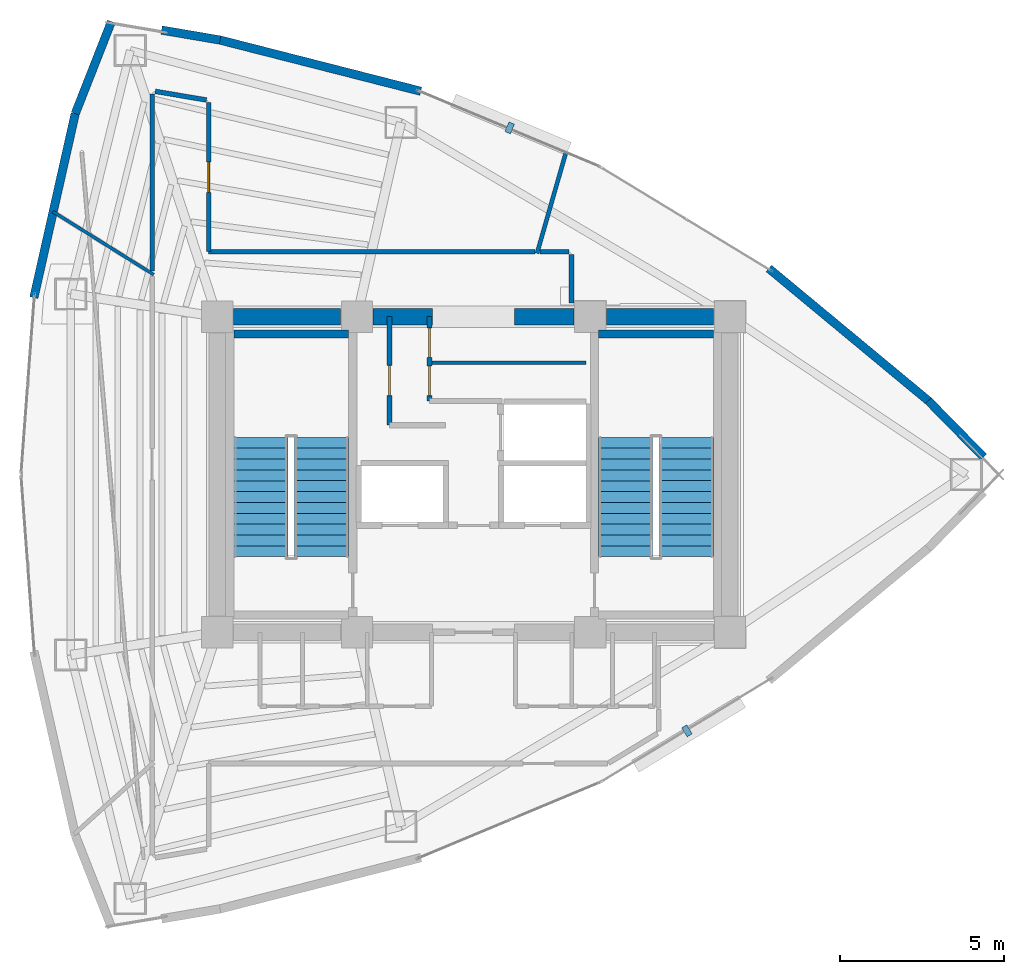
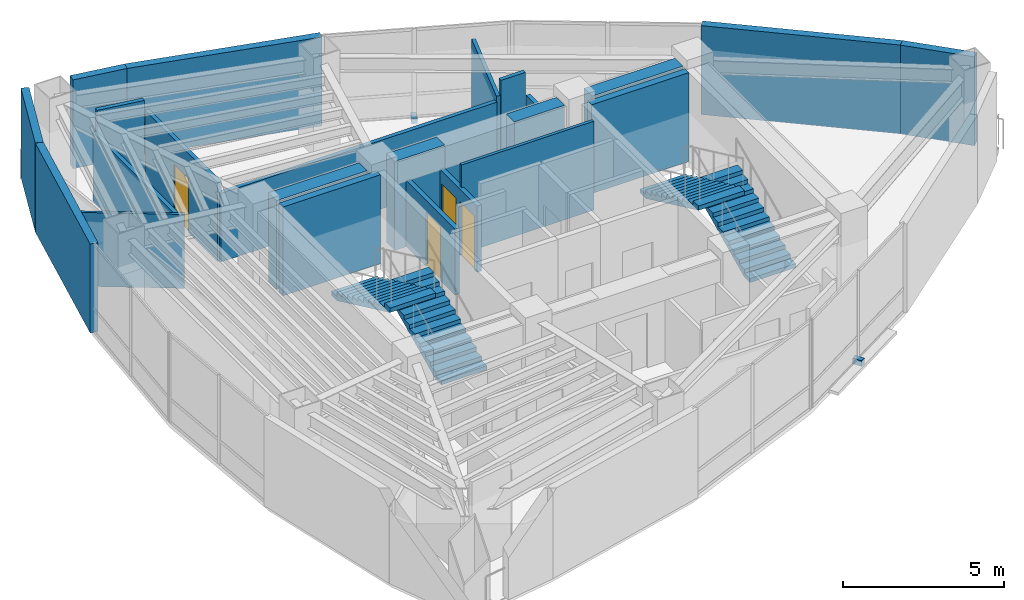
# One storey, part 13 of 16: 23 walls, 4 doors, 4 stair flights, 2 discrete accessories, 4 openings, 2 elements without a shape of their own.
"""IFC4 building model written with IfcOpenShell, lengths in metres."""

from ifc_helpers import new_model, si_unit, direction, frame, frame_2d, origin, origin_2d, place, context, subcontext, project, spatial, polyline, rectangle, outline, extrude, material, layer, layer_set, type_object, element, fill, aggregate, save


model = new_model("IFC4")

# Units and contexts
model_context = context("Model", 3, precision=1e-05, world=origin(), true_north=direction((0.0, 1.0)))
body_context = subcontext(model_context, "Body", "Model", "MODEL_VIEW")
ifc_project = project(units=[si_unit("LENGTHUNIT", "METRE"), si_unit("AREAUNIT", "SQUARE_METRE"), si_unit("VOLUMEUNIT", "CUBIC_METRE"), si_unit("PLANEANGLEUNIT", "RADIAN"), si_unit("MASSUNIT", "GRAM", prefix="KILO")], contexts=[model_context])

# Site, building, storey
site_placement = place(None, origin())
site = spatial("IfcSite", under=ifc_project, at=site_placement, CompositionType="ELEMENT")
building_placement = place(site_placement, origin())
building = spatial("IfcBuilding", under=site, at=building_placement, Name="Menara Vayukalpa", CompositionType="ELEMENT")
storey_placement = place(building_placement, frame((0.0, 0.0, 210.1201171875)))
storey = spatial("IfcBuildingStorey", under=building, at=storey_placement, Name="L53", CompositionType="ELEMENT", Elevation=210.1201171875)

# Walls
ifc_material_1 = material(Name="Concrete C60/75", Category="concrete")
ifc_layer_1 = layer(ifc_material_1, 0.5)
ifc_layer_set_1 = layer_set([ifc_layer_1], Name="Concrete C60/75")
wall_type_1 = type_object("IfcWallType", Name="WAL-CW500", PredefinedType="SHEAR", material=ifc_layer_set_1)
wall_1_placement = place(storey_placement, frame((18.294921875, 26.800048828125, 0.0), z_axis=(0.0, 0.0, 1.0), x_axis=(1.0, 0.0, 0.0)))
element("IfcWall", 1, at=wall_1_placement, inside=storey, type_object=wall_type_1, Name="L53 Buttressed Core Shear Wall CWN1", PredefinedType="SHEAR", context=body_context, shape_type="SweptSolid", body=[
    extrude(rectangle(XDim=3.260009765625, YDim=0.5, at=frame_2d((1.6298828125, 0.0))), origin(), (0.0, 0.0, 1.0), 3.3798828125),
])
wall_2_placement = place(storey_placement, frame((22.544921875, 26.800048828125, 0.0), z_axis=(0.0, 0.0, 1.0), x_axis=(1.0, 0.0, 0.0)))
element("IfcWall", 2, at=wall_2_placement, inside=storey, type_object=wall_type_1, Name="L53 Buttressed Core Shear Wall CWN2", PredefinedType="SHEAR", context=body_context, shape_type="SweptSolid", body=[
    extrude(rectangle(XDim=1.80517578125, YDim=0.5, at=frame_2d((0.902587890625, 0.0))), origin(), (0.0, 0.0, 1.0), 3.3798828125),
])
wall_3_placement = place(storey_placement, frame((26.85009765625, 26.800048828125, 0.0), z_axis=(0.0, 0.0, 1.0), x_axis=(1.0, 0.0, 0.0)))
element("IfcWall", 3, at=wall_3_placement, inside=storey, type_object=wall_type_1, Name="L53 Buttressed Core Shear Wall CWN3", PredefinedType="SHEAR", context=body_context, shape_type="SweptSolid", body=[
    extrude(rectangle(XDim=1.804931640625, YDim=0.5, at=frame_2d((0.90234375, 0.0))), origin(), (0.0, 0.0, 1.0), 3.3798828125),
])
wall_4_placement = place(storey_placement, frame((29.64501953125, 26.800048828125, 0.0), z_axis=(0.0, 0.0, 1.0), x_axis=(1.0, 0.0, 0.0)))
element("IfcWall", 4, at=wall_4_placement, inside=storey, type_object=wall_type_1, Name="L53 Buttressed Core Shear Wall CWN4", PredefinedType="SHEAR", context=body_context, shape_type="SweptSolid", body=[
    extrude(rectangle(XDim=3.260009765625, YDim=0.5, at=frame_2d((1.6298828125, 0.0))), origin(), (0.0, 0.0, 1.0), 3.3798828125),
])
ifc_material_2 = material(Name="Insulated Precast Concrete C40/50", Category="concrete")
ifc_layer_2 = layer(ifc_material_2, 0.260009765625)
ifc_layer_set_2 = layer_set([ifc_layer_2], Name="Insulated Precast Concrete C40/50")
wall_type_2 = type_object("IfcWallType", Name="WAL-EXT260", PredefinedType="PARTITIONING", material=ifc_layer_set_2)
wall_5_placement = place(storey_placement, frame((39.43505859375, 24.246337890625, 0.0), z_axis=(0.0, 0.0, 1.0), x_axis=(0.700567481584, -0.7135861572, 0.0)))
element("IfcWall", 5, at=wall_5_placement, inside=storey, type_object=wall_type_2, Name="L53 Perimeter Terracotta Pier Wall 02", PredefinedType="PARTITIONING", context=body_context, shape_type="SweptSolid", body=[
    extrude(rectangle(XDim=2.400390625, YDim=0.260009765625, at=frame_2d((1.2001953125, 0.0))), origin(), (0.0, 0.0, 1.0), 3.3798828125),
])
wall_6_placement = place(storey_placement, frame((34.58251953125, 28.26953125, 0.0), z_axis=(0.0, 0.0, 1.0), x_axis=(0.769765373155, -0.638326930571, 0.0)))
element("IfcWall", 6, at=wall_6_placement, inside=storey, type_object=wall_type_2, Name="L53 Perimeter Terracotta Pier Wall 03", PredefinedType="PARTITIONING", context=body_context, shape_type="SweptSolid", body=[
    extrude(rectangle(XDim=6.3154296875, YDim=0.260009765625, at=frame_2d((3.15771484375, 0.0))), origin(), (0.0, 0.0, 1.0), 3.3798828125),
])
wall_7_placement = place(storey_placement, frame((17.8759765625, 35.22216796875, 0.0), z_axis=(0.0, 0.0, 1.0), x_axis=(0.968976240439, -0.247153890246, 0.0)))
element("IfcWall", 7, at=wall_7_placement, inside=storey, type_object=wall_type_2, Name="L53 Perimeter Terracotta Pier Wall 06", PredefinedType="PARTITIONING", context=body_context, shape_type="SweptSolid", body=[
    extrude(rectangle(XDim=6.31494140625, YDim=0.260009765625, at=frame_2d((3.157470703125, 0.0))), origin(), (0.0, 0.0, 1.0), 3.3798828125),
])
wall_8_placement = place(storey_placement, frame((16.10693359375, 35.52197265625, 0.0), z_axis=(0.0, 0.0, 1.0), x_axis=(0.985877723898, -0.167466753484, 0.0)))
element("IfcWall", 8, at=wall_8_placement, inside=storey, type_object=wall_type_2, Name="L53 Perimeter Terracotta Pier Wall 07", PredefinedType="PARTITIONING", context=body_context, shape_type="SweptSolid", body=[
    extrude(rectangle(XDim=1.80615234375, YDim=0.260009765625, at=frame_2d((0.903076171875, 0.0))), origin(), (0.0, 0.0, 1.0), 3.3798828125),
])
wall_9_placement = place(storey_placement, frame((13.47900390625, 32.978515625, 0.0), z_axis=(0.0, 0.0, 1.0), x_axis=(0.365609724313, 0.930768246927, 0.0)))
element("IfcWall", 9, at=wall_9_placement, inside=storey, type_object=wall_type_2, Name="L53 Perimeter Terracotta Pier Wall 08", PredefinedType="PARTITIONING", context=body_context, shape_type="SweptSolid", body=[
    extrude(rectangle(XDim=3.010986328125, YDim=0.260009765625, at=frame_2d((1.50537109375, 0.0))), origin(), (0.0, 0.0, 1.0), 3.3798828125),
])
wall_10_placement = place(storey_placement, frame((12.219970703125, 27.3818359375, 0.0), z_axis=(0.0, 0.0, 1.0), x_axis=(0.219475737697, 0.975617958303, 0.0)))
element("IfcWall", 10, at=wall_10_placement, inside=storey, type_object=wall_type_2, Name="L53 Perimeter Terracotta Pier Wall 09", PredefinedType="PARTITIONING", context=body_context, shape_type="SweptSolid", body=[
    extrude(rectangle(XDim=5.736572265625, YDim=0.260009765625, at=frame_2d((2.8681640625, 0.0))), origin(), (0.0, 0.0, 1.0), 3.3798828125),
])

# Wall, opening, door
ifc_material_3 = material(Name="Lightweight Concrete Blockwork C16/20", Category="masonry")
ifc_layer_3 = layer(ifc_material_3, 0.159912109375)
ifc_layer_set_3 = layer_set([ifc_layer_3], Name="Lightweight Concrete Blockwork C16/20")
wall_type_3 = type_object("IfcWallType", Name="WAL-FR150", PredefinedType="PARTITIONING", material=ifc_layer_set_3)
wall_11_placement = place(storey_placement, frame((23.0400390625, 23.5, 0.0), z_axis=(0.0, 0.0, 1.0), x_axis=(0.0, 1.0, 0.0)))
wall_11 = element("IfcWall", 11, at=wall_11_placement, inside=storey, type_object=wall_type_3, Name="L53 Interior Partition IW-L53-LV7WB", PredefinedType="PARTITIONING", context=body_context, shape_type="SweptSolid", body=[
    extrude(rectangle(XDim=3.300048828125, YDim=0.159912109375, at=frame_2d((1.64990234375, 0.0))), origin(), (0.0, 0.0, 1.0), 2.509765625),
])
opening_1_placement = place(wall_11_placement, frame((0.89990234375, 0.0, 0.0)))
opening_1 = element("IfcOpeningElement", 12, at=opening_1_placement, cuts=wall_11, Name="Opening ID6", PredefinedType="OPENING", context=body_context, shape_type="SweptSolid", body=[
    extrude(rectangle(XDim=0.919921875, YDim=2.050048828125, at=frame_2d((0.4599609375, 1.02490234375))), frame((0.0, 0.08984375, 0.0), z_axis=(0.0, -1.0, 0.0), x_axis=(1.0, 0.0, 0.0)), (0.0, 0.0, 1.0), 0.179931640625),
])
ifc_material_4 = material(Name="Acoustic Hardwood Veneer Timber Door", Category="wood")
door_type_1 = type_object("IfcDoorType", Name="DR-INT92", OperationType="NOTDEFINED", PredefinedType="DOOR", material=ifc_material_4)
door_1_placement = place(opening_1_placement, origin())
door_1 = element("IfcDoor", 13, at=door_1_placement, inside=storey, type_object=door_type_1, Name="L53 Interior Door DR-L53-LV7W", OperationType="SINGLE_SWING_RIGHT", OverallHeight=2.050048828125, OverallWidth=0.919921875, PredefinedType="DOOR", context=body_context, shape_type="SweptSolid", body=[
    extrude(rectangle(XDim=0.919921875, YDim=2.050048828125, at=frame_2d((0.4599609375, 1.02490234375))), frame((0.0, 0.02490234375, 0.0), z_axis=(0.0, -1.0, 0.0), x_axis=(1.0, 0.0, 0.0)), (0.0, 0.0, 1.0), 0.050048828125),
])
fill(opening_1, door_1)

# Wall, openings, doors
wall_12_placement = place(storey_placement, frame((24.260009765625, 24.239990234375, 0.0), z_axis=(0.0, 0.0, 1.0), x_axis=(0.0, 1.0, 0.0)))
wall_12 = element("IfcWall", 14, at=wall_12_placement, inside=storey, type_object=wall_type_3, Name="L53 Interior Partition IW-L53-LV7EB", PredefinedType="PARTITIONING", context=body_context, shape_type="SweptSolid", body=[
    extrude(rectangle(XDim=2.56005859375, YDim=0.159912109375, at=frame_2d((1.280029296875, 0.0))), origin(), (0.0, 0.0, 1.0), 2.509765625),
])
opening_2_placement = place(wall_12_placement, frame((0.159912109375, 0.0, 0.0)))
opening_2 = element("IfcOpeningElement", 15, at=opening_2_placement, cuts=wall_12, Name="Opening ID7", PredefinedType="OPENING", context=body_context, shape_type="SweptSolid", body=[
    extrude(rectangle(XDim=0.89990234375, YDim=2.02001953125, at=frame_2d((0.449951171875, 1.010009765625))), frame((0.0, 0.08984375, 0.0), z_axis=(0.0, -1.0, 0.0), x_axis=(1.0, 0.0, 0.0)), (0.0, 0.0, 1.0), 0.179931640625),
])
opening_3_placement = place(wall_12_placement, frame((1.320068359375, 0.0, 0.0)))
opening_3 = element("IfcOpeningElement", 16, at=opening_3_placement, cuts=wall_12, Name="Opening ID7", PredefinedType="OPENING", context=body_context, shape_type="SweptSolid", body=[
    extrude(rectangle(XDim=0.89990234375, YDim=2.02001953125, at=frame_2d((0.449951171875, 1.010009765625))), frame((0.0, 0.08984375, 0.0), z_axis=(0.0, -1.0, 0.0), x_axis=(1.0, 0.0, 0.0)), (0.0, 0.0, 1.0), 0.179931640625),
])
ifc_material_5 = material(Name="Powder-Coated Steel Riser Access Door", Category="steel")
door_type_2 = type_object("IfcDoorType", Name="DR-RISER", OperationType="NOTDEFINED", PredefinedType="DOOR", material=ifc_material_5)
door_2_placement = place(opening_2_placement, origin())
door_2 = element("IfcDoor", 17, at=door_2_placement, inside=storey, type_object=door_type_2, Name="L53 Interior Door DR-L53-LV7E1", OperationType="SINGLE_SWING_LEFT", OverallHeight=2.02001953125, OverallWidth=0.89990234375, PredefinedType="DOOR", context=body_context, shape_type="SweptSolid", body=[
    extrude(rectangle(XDim=0.89990234375, YDim=2.02001953125, at=frame_2d((0.449951171875, 1.010009765625))), frame((0.0, 0.02490234375, 0.0), z_axis=(0.0, -1.0, 0.0), x_axis=(1.0, 0.0, 0.0)), (0.0, 0.0, 1.0), 0.050048828125),
])
fill(opening_2, door_2)
door_3_placement = place(opening_3_placement, origin())
door_3 = element("IfcDoor", 18, at=door_3_placement, inside=storey, type_object=door_type_2, Name="L53 Interior Door DR-L53-LV7E2", OperationType="SINGLE_SWING_RIGHT", OverallHeight=2.02001953125, OverallWidth=0.89990234375, PredefinedType="DOOR", context=body_context, shape_type="SweptSolid", body=[
    extrude(rectangle(XDim=0.89990234375, YDim=2.02001953125, at=frame_2d((0.449951171875, 1.010009765625))), frame((0.0, 0.02490234375, 0.0), z_axis=(0.0, -1.0, 0.0), x_axis=(1.0, 0.0, 0.0)), (0.0, 0.0, 1.0), 0.050048828125),
])
fill(opening_3, door_3)

# Walls
ifc_material_6 = material(Name="Glazed Demountable Office Partition", Category="glass")
ifc_layer_4 = layer(ifc_material_6, 0.094970703125)
ifc_layer_set_4 = layer_set([ifc_layer_4], Name="Glazed Demountable Office Partition")
wall_type_4 = type_object("IfcWallType", Name="WAL-PT100", PredefinedType="PARTITIONING", material=ifc_layer_set_4)
wall_13_placement = place(storey_placement, frame((15.8701171875, 28.080078125, 0.0), z_axis=(0.0, 0.0, 1.0), x_axis=(-0.848062676376, 0.529895930291, 0.0)))
element("IfcWall", 19, at=wall_13_placement, inside=storey, type_object=wall_type_4, Name="L53 Interior Partition IW-L53-RDIV02", PredefinedType="PARTITIONING", context=body_context, shape_type="SweptSolid", body=[
    extrude(rectangle(XDim=3.621826171875, YDim=0.094970703125, at=frame_2d((1.81103515625, 0.0))), origin(), (0.0, 0.0, 1.0), 2.809814453125),
])
ifc_material_7 = material(Name="Acoustic Mineral Stud Partition", Category="masonry")
ifc_layer_5 = layer(ifc_material_7, 0.110107421875)
ifc_layer_set_5 = layer_set([ifc_layer_5], Name="Acoustic Mineral Stud Partition")
wall_type_5 = type_object("IfcWallType", Name="WAL-PT110", PredefinedType="PARTITIONING", material=ifc_layer_set_5)
wall_14_placement = place(storey_placement, frame((24.260009765625, 25.39990234375, 0.0), z_axis=(0.0, 0.0, 1.0), x_axis=(1.0, 0.0, 0.0)))
element("IfcWall", 20, at=wall_14_placement, inside=storey, type_object=wall_type_5, Name="L53 Interior Partition IW-L53-LV7EM", PredefinedType="PARTITIONING", context=body_context, shape_type="SweptSolid", body=[
    extrude(rectangle(XDim=4.760009765625, YDim=0.110107421875, at=frame_2d((2.3798828125, 0.0))), origin(), (0.0, 0.0, 1.0), 3.3798828125),
])
ifc_material_8 = material(Name="Gypsum Drywall Steel Stud Assembly", Category="steel")
ifc_layer_6 = layer(ifc_material_8, 0.125)
ifc_layer_set_6 = layer_set([ifc_layer_6], Name="Gypsum Drywall Steel Stud Assembly")
wall_type_6 = type_object("IfcWallType", Name="WAL-PT125", PredefinedType="PARTITIONING", material=ifc_layer_set_6)
wall_15_placement = place(storey_placement, frame((27.52978515625, 28.72998046875, 0.0), z_axis=(0.0, 0.0, 1.0), x_axis=(0.275627571295, 0.961264501551, 0.0)))
element("IfcWall", 21, at=wall_15_placement, inside=storey, type_object=wall_type_6, Name="L53 Interior Partition IW-L53-RDIV01", PredefinedType="PARTITIONING", context=body_context, shape_type="SweptSolid", body=[
    extrude(rectangle(XDim=3.201171875, YDim=0.125, at=frame_2d((1.6005859375, 0.0))), origin(), (0.0, 0.0, 1.0), 2.809814453125),
])
ifc_material_9 = material(Name="Gypsum Drywall Acoustic Stud Assembly", Category="masonry")
ifc_layer_7 = layer(ifc_material_9, 0.14501953125)
ifc_layer_set_7 = layer_set([ifc_layer_7], Name="Gypsum Drywall Acoustic Stud Assembly")
wall_type_7 = type_object("IfcWallType", Name="WAL-PT150", PredefinedType="PARTITIONING", material=ifc_layer_set_7)
wall_16_placement = place(storey_placement, frame((28.580078125, 27.219970703125, 0.0), z_axis=(0.0, 0.0, 1.0), x_axis=(0.0, 1.0, 0.0)))
element("IfcWall", 22, at=wall_16_placement, inside=storey, type_object=wall_type_7, Name="L53 Interior Partition IW-L53-CRM03-8", PredefinedType="PARTITIONING", context=body_context, shape_type="SweptSolid", body=[
    extrude(rectangle(XDim=1.47998046875, YDim=0.14501953125, at=frame_2d((0.739990234375, 0.0))), origin(), (0.0, 0.0, 1.0), 2.509765625),
])
wall_17_placement = place(storey_placement, frame((28.5, 28.780029296875, 0.0), z_axis=(0.0, 0.0, 1.0), x_axis=(-1.0, 0.0, 0.0)))
element("IfcWall", 23, at=wall_17_placement, inside=storey, type_object=wall_type_7, Name="L53 Interior Partition IW-L53-CRM03-9", PredefinedType="PARTITIONING", context=body_context, shape_type="SweptSolid", body=[
    extrude(rectangle(XDim=0.883056640625, YDim=0.14501953125, at=frame_2d((0.44140625, 0.0))), origin(), (0.0, 0.0, 1.0), 3.3798828125),
])
wall_18_placement = place(storey_placement, frame((27.47119140625, 28.780029296875, 0.0), z_axis=(0.0, 0.0, 1.0), x_axis=(-1.0, 0.0, 0.0)))
element("IfcWall", 24, at=wall_18_placement, inside=storey, type_object=wall_type_7, Name="L53 Interior Partition IW-L53-CRM04-1", PredefinedType="PARTITIONING", context=body_context, shape_type="SweptSolid", body=[
    extrude(rectangle(XDim=9.93115234375, YDim=0.14501953125, at=frame_2d((4.965576171875, 0.0))), origin(), (0.0, 0.0, 1.0), 2.60986328125),
])

# Wall, opening, door
wall_19_placement = place(storey_placement, frame((17.5400390625, 28.780029296875, 0.0), z_axis=(0.0, 0.0, 1.0), x_axis=(0.0, 1.0, 0.0)))
wall_19 = element("IfcWall", 25, at=wall_19_placement, inside=storey, type_object=wall_type_7, Name="L53 Interior Partition IW-L53-CRM04-2", PredefinedType="PARTITIONING", context=body_context, shape_type="SweptSolid", body=[
    extrude(rectangle(XDim=4.5341796875, YDim=0.14501953125, at=frame_2d((2.26708984375, 0.0))), origin(), (0.0, 0.0, 1.0), 3.009765625),
])
opening_4_placement = place(wall_19_placement, frame((1.80712890625, 0.0, 0.0)))
opening_4 = element("IfcOpeningElement", 26, at=opening_4_placement, cuts=wall_19, Name="Opening ID6", PredefinedType="OPENING", context=body_context, shape_type="SweptSolid", body=[
    extrude(rectangle(XDim=0.919921875, YDim=2.050048828125, at=frame_2d((0.4599609375, 1.02490234375))), frame((0.0, 0.08251953125, 0.0), z_axis=(0.0, -1.0, 0.0), x_axis=(1.0, 0.0, 0.0)), (0.0, 0.0, 1.0), 0.1650390625),
])
door_4_placement = place(opening_4_placement, origin())
door_4 = element("IfcDoor", 27, at=door_4_placement, inside=storey, type_object=door_type_1, Name="L53 Interior Door DR-L53-RM04", OperationType="SINGLE_SWING_RIGHT", OverallHeight=2.050048828125, OverallWidth=0.919921875, PredefinedType="DOOR", context=body_context, shape_type="SweptSolid", body=[
    extrude(rectangle(XDim=0.919921875, YDim=2.050048828125, at=frame_2d((0.4599609375, 1.02490234375))), frame((0.0, 0.02490234375, 0.0), z_axis=(0.0, -1.0, 0.0), x_axis=(1.0, 0.0, 0.0)), (0.0, 0.0, 1.0), 0.050048828125),
])
fill(opening_4, door_4)

# Walls
wall_20_placement = place(storey_placement, frame((17.473388671875, 33.393310546875, 0.0), z_axis=(0.0, 0.0, 1.0), x_axis=(-0.985914419316, 0.167250583809, 0.0)))
element("IfcWall", 28, at=wall_20_placement, inside=storey, type_object=wall_type_7, Name="L53 Interior Partition IW-L53-CRM04-3", PredefinedType="PARTITIONING", context=body_context, shape_type="SweptSolid", body=[
    extrude(rectangle(XDim=1.582275390625, YDim=0.14501953125, at=frame_2d((0.791015625, 0.0))), origin(), (0.0, 0.0, 1.0), 3.3798828125),
])
wall_21_placement = place(storey_placement, frame((15.820068359375, 33.5791015625, 0.0), z_axis=(0.0, 0.0, 1.0), x_axis=(0.0, -1.0, 0.0)))
element("IfcWall", 29, at=wall_21_placement, inside=storey, type_object=wall_type_7, Name="L53 Interior Partition IW-L53-CRM04-4", PredefinedType="PARTITIONING", context=body_context, shape_type="SweptSolid", body=[
    extrude(rectangle(XDim=5.38525390625, YDim=0.14501953125, at=frame_2d((2.692626953125, 0.0))), origin(), (0.0, 0.0, 1.0), 2.60986328125),
])
ifc_material_10 = material(Name="Concrete C50/60", Category="concrete")
ifc_layer_8 = layer(ifc_material_10, 0.25)
ifc_layer_set_8 = layer_set([ifc_layer_8], Name="Concrete C50/60")
wall_type_8 = type_object("IfcWallType", Name="WAL-SW250", PredefinedType="SHEAR", material=ifc_layer_set_8)
for number, where, z_axis, x_axis, name in (
    (30, (18.303955078125, 26.27490234375, 0.0), (0.0, 0.0, 1.0), (1.0, 0.0, 0.0), "L53 ST1 Structural Stair Shaft Wall N"),
    (31, (29.39990234375, 26.27490234375, 0.0), (0.0, 0.0, 1.0), (1.0, 0.0, 0.0), "L53 ST2 Structural Stair Shaft Wall N"),
):
    element("IfcWall", number, at=place(storey_placement, frame(where, z_axis=z_axis, x_axis=x_axis)), inside=storey, type_object=wall_type_8, Name=name, PredefinedType="SHEAR", context=body_context, shape_type="SweptSolid", body=[
        extrude(rectangle(XDim=3.49609375, YDim=0.25, at=frame_2d((1.748046875, 0.0))), origin(), (0.0, 0.0, 1.0), 3.3798828125),
    ])

# Stair, stair flights
ifc_material_11 = material(Name="Precast Concrete C40/50", Category="concrete")
stair_type = type_object("IfcStairType", Name="STR-T04", PredefinedType="DOUBLE_RETURN_STAIR", material=ifc_material_11)
stair_1_placement = place(storey_placement, origin())
stair_1 = element("IfcStair", 32, at=stair_1_placement, inside=storey, type_object=stair_type, Name="L53 Core Exit Stair ST-1", PredefinedType="DOUBLE_RETURN_STAIR")
ifc_material_12 = material(Name="Precast Concrete C40/50", Category="concrete")
stair_flight_type = type_object("IfcStairFlightType", Name="STF-T04", PredefinedType="STRAIGHT", material=ifc_material_12)
stair_flight_1_placement = place(storey_placement, frame((20.97509765625, 19.5, 0.0), z_axis=(0.0, 0.0, 1.0), x_axis=(0.0, 1.0, 0.0)))
stair_flight_1 = element("IfcStairFlight", 33, at=stair_flight_1_placement, type_object=stair_flight_type, Name="ST-1 flight 1", NumberOfRisers=12, NumberOfTreads=11, PredefinedType="STRAIGHT", RiserHeight=0.155, TreadLength=0.33, context=body_context, shape_type="SweptSolid", body=[
    extrude(outline(polyline([(0.0, 0.0), (0.0, 0.155029296875), (0.330078125, 0.155029296875), (0.330078125, 0.31005859375), (0.659912109375, 0.31005859375), (0.659912109375, 0.465087890625), (0.989990234375, 0.465087890625), (0.989990234375, 0.6201171875), (1.320068359375, 0.6201171875), (1.320068359375, 0.77490234375), (1.64990234375, 0.77490234375), (1.64990234375, 0.929931640625), (1.97998046875, 0.929931640625), (1.97998046875, 1.0849609375), (2.31005859375, 1.0849609375), (2.31005859375, 1.239990234375), (2.639892578125, 1.239990234375), (2.639892578125, 1.39501953125), (2.969970703125, 1.39501953125), (2.969970703125, 1.550048828125), (3.300048828125, 1.550048828125), (3.300048828125, 1.705078125), (3.6298828125, 1.705078125), (3.6298828125, 1.860107421875), (3.6298828125, 1.539306640625), (0.3525390625, 0.0), (0.0, 0.0)])), frame((0.0, 0.824951171875, 0.0), z_axis=(0.0, -1.0, 0.0), x_axis=(1.0, 0.0, 0.0)), (0.0, 0.0, 1.0), 1.64990234375),
])
stair_flight_2_placement = place(storey_placement, frame((19.125, 23.1298828125, 1.85986328125), z_axis=(0.0, 0.0, 1.0), x_axis=(0.0, -1.0, 0.0)))
stair_flight_2 = element("IfcStairFlight", 34, at=stair_flight_2_placement, type_object=stair_flight_type, Name="ST-1 flight 2", NumberOfRisers=12, NumberOfTreads=11, PredefinedType="STRAIGHT", RiserHeight=0.155, TreadLength=0.33, context=body_context, shape_type="SweptSolid", body=[
    extrude(outline(polyline([(0.0, 0.0), (0.0, 0.155029296875), (0.330078125, 0.155029296875), (0.330078125, 0.31005859375), (0.659912109375, 0.31005859375), (0.659912109375, 0.465087890625), (0.989990234375, 0.465087890625), (0.989990234375, 0.6201171875), (1.320068359375, 0.6201171875), (1.320068359375, 0.77490234375), (1.64990234375, 0.77490234375), (1.64990234375, 0.929931640625), (1.97998046875, 0.929931640625), (1.97998046875, 1.0849609375), (2.31005859375, 1.0849609375), (2.31005859375, 1.239990234375), (2.639892578125, 1.239990234375), (2.639892578125, 1.39501953125), (2.969970703125, 1.39501953125), (2.969970703125, 1.550048828125), (3.300048828125, 1.550048828125), (3.300048828125, 1.705078125), (3.6298828125, 1.705078125), (3.6298828125, 1.860107421875), (3.6298828125, 1.539306640625), (0.3525390625, 0.0), (0.0, 0.0)])), frame((0.0, 0.824951171875, 0.0), z_axis=(0.0, -1.0, 0.0), x_axis=(1.0, 0.0, 0.0)), (0.0, 0.0, 1.0), 1.64990234375),
])
aggregate(stair_1, [stair_flight_1, stair_flight_2])

stair_2_placement = place(storey_placement, origin())
stair_2 = element("IfcStair", 35, at=stair_2_placement, inside=storey, type_object=stair_type, Name="L53 Core Exit Stair ST-2", PredefinedType="DOUBLE_RETURN_STAIR")
stair_flight_3_placement = place(storey_placement, frame((32.074951171875, 19.5, 0.0), z_axis=(0.0, 0.0, 1.0), x_axis=(0.0, 1.0, 0.0)))
stair_flight_3 = element("IfcStairFlight", 36, at=stair_flight_3_placement, type_object=stair_flight_type, Name="ST-2 flight 1", NumberOfRisers=12, NumberOfTreads=11, PredefinedType="STRAIGHT", RiserHeight=0.155, TreadLength=0.33, context=body_context, shape_type="SweptSolid", body=[
    extrude(outline(polyline([(0.0, 0.0), (0.0, 0.155029296875), (0.330078125, 0.155029296875), (0.330078125, 0.31005859375), (0.659912109375, 0.31005859375), (0.659912109375, 0.465087890625), (0.989990234375, 0.465087890625), (0.989990234375, 0.6201171875), (1.320068359375, 0.6201171875), (1.320068359375, 0.77490234375), (1.64990234375, 0.77490234375), (1.64990234375, 0.929931640625), (1.97998046875, 0.929931640625), (1.97998046875, 1.0849609375), (2.31005859375, 1.0849609375), (2.31005859375, 1.239990234375), (2.639892578125, 1.239990234375), (2.639892578125, 1.39501953125), (2.969970703125, 1.39501953125), (2.969970703125, 1.550048828125), (3.300048828125, 1.550048828125), (3.300048828125, 1.705078125), (3.6298828125, 1.705078125), (3.6298828125, 1.860107421875), (3.6298828125, 1.539306640625), (0.3525390625, 0.0), (0.0, 0.0)])), frame((0.0, 0.824951171875, 0.0), z_axis=(0.0, -1.0, 0.0), x_axis=(1.0, 0.0, 0.0)), (0.0, 0.0, 1.0), 1.64990234375),
])
stair_flight_4_placement = place(storey_placement, frame((30.22509765625, 23.1298828125, 1.85986328125), z_axis=(0.0, 0.0, 1.0), x_axis=(0.0, -1.0, 0.0)))
stair_flight_4 = element("IfcStairFlight", 37, at=stair_flight_4_placement, type_object=stair_flight_type, Name="ST-2 flight 2", NumberOfRisers=12, NumberOfTreads=11, PredefinedType="STRAIGHT", RiserHeight=0.155, TreadLength=0.33, context=body_context, shape_type="SweptSolid", body=[
    extrude(outline(polyline([(0.0, 0.0), (0.0, 0.155029296875), (0.330078125, 0.155029296875), (0.330078125, 0.31005859375), (0.659912109375, 0.31005859375), (0.659912109375, 0.465087890625), (0.989990234375, 0.465087890625), (0.989990234375, 0.6201171875), (1.320068359375, 0.6201171875), (1.320068359375, 0.77490234375), (1.64990234375, 0.77490234375), (1.64990234375, 0.929931640625), (1.97998046875, 0.929931640625), (1.97998046875, 1.0849609375), (2.31005859375, 1.0849609375), (2.31005859375, 1.239990234375), (2.639892578125, 1.239990234375), (2.639892578125, 1.39501953125), (2.969970703125, 1.39501953125), (2.969970703125, 1.550048828125), (3.300048828125, 1.550048828125), (3.300048828125, 1.705078125), (3.6298828125, 1.705078125), (3.6298828125, 1.860107421875), (3.6298828125, 1.539306640625), (0.3525390625, 0.0), (0.0, 0.0)])), frame((0.0, 0.824951171875, 0.0), z_axis=(0.0, -1.0, 0.0), x_axis=(1.0, 0.0, 0.0)), (0.0, 0.0, 1.0), 1.64990234375),
])
aggregate(stair_2, [stair_flight_3, stair_flight_4])

# Discrete accessories
ifc_material_13 = material(Name="Stainless Steel 316 Sunshade Bracket", Category="steel")
discrete_accessory_type = type_object("IfcDiscreteAccessoryType", Name="ACC-BRK1", PredefinedType="BRACKET", material=ifc_material_13)
for number, where, z_axis, x_axis, name in (
    (38, (26.69775390625, 32.5458984375, -0.16015625), (0.0, 0.0, 1.0), (-0.922538089456, 0.385906042324, 0.0), "L53 Terracotta Sunshade Bracket 05"),
    (39, (32.091064453125, 14.20068359375, -0.16015625), (0.0, 0.0, 1.0), (0.85466730962, 0.519176068272, 0.0), "L53 Terracotta Sunshade Bracket 17"),
):
    element("IfcDiscreteAccessory", number, at=place(storey_placement, frame(where, z_axis=z_axis, x_axis=x_axis)), inside=storey, type_object=discrete_accessory_type, Name=name, PredefinedType="BRACKET", context=body_context, shape_type="SweptSolid", body=[
        extrude(rectangle(XDim=0.179931640625, YDim=0.320068359375, at=origin_2d()), origin(), (0.0, 0.0, 1.0), 0.219970703125),
    ])

save(model, "model.ifc")
